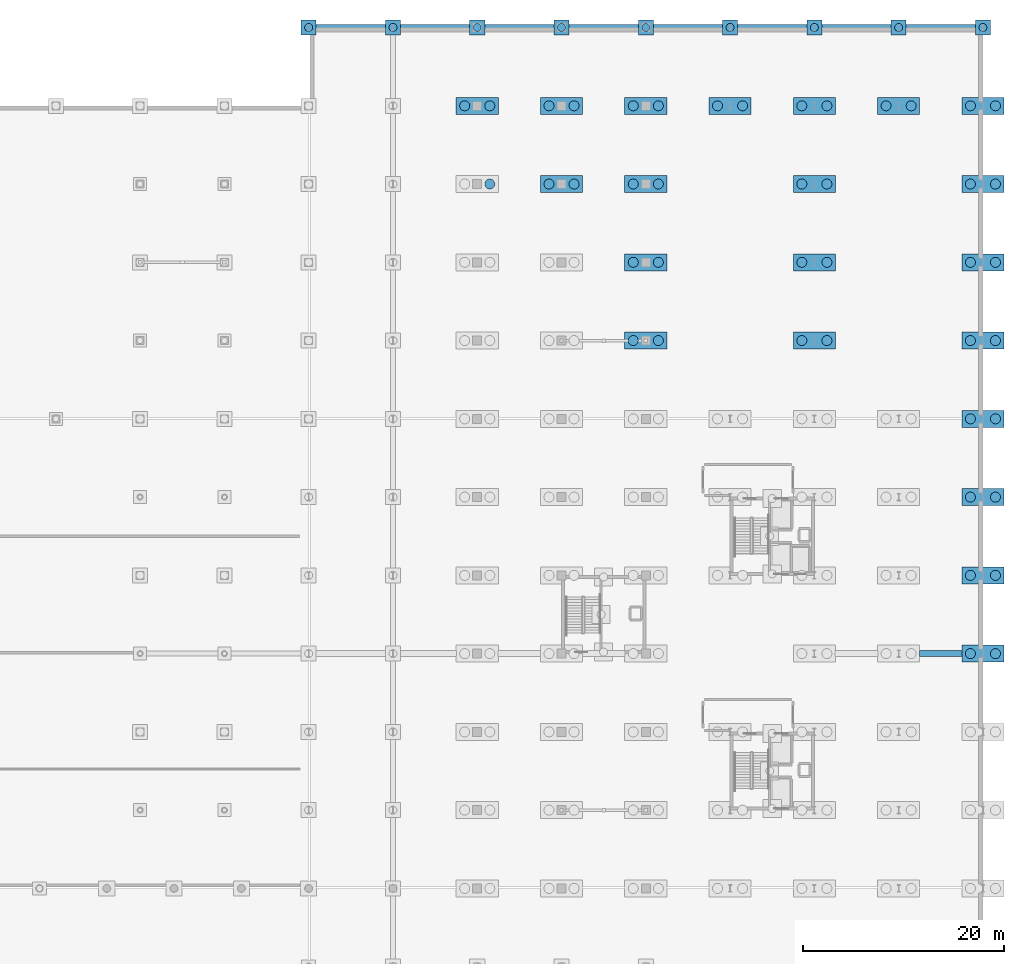
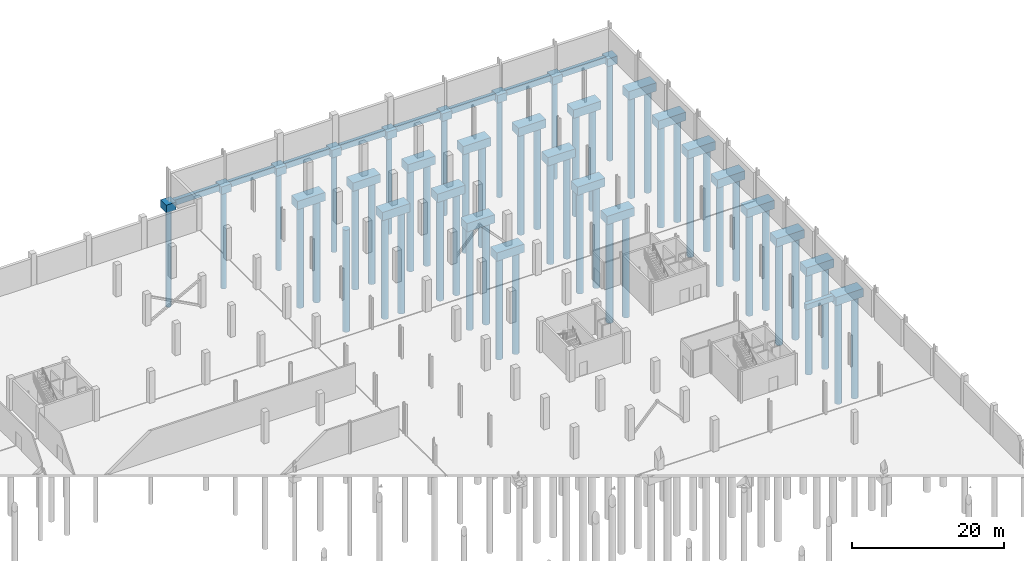
# One storey, part 9 of 48: 52 piles, 39 footings.
"""IFC4 building model written with IfcOpenShell, lengths in metres."""

from ifc_helpers import new_model, si_unit, direction, frame, origin, origin_2d, place, context, subcontext, project, spatial, polyline, rectangle, circle, outline, extrude, material, material_profile, profile_set, type_object, element, save


model = new_model("IFC4")

# Units and contexts
model_context = context("Model", 3, precision=1e-05, world=origin(), true_north=direction((0.0, 1.0)))
body_context = subcontext(model_context, "Body", "Model", "MODEL_VIEW")
ifc_project = project(units=[si_unit("LENGTHUNIT", "METRE"), si_unit("AREAUNIT", "SQUARE_METRE"), si_unit("VOLUMEUNIT", "CUBIC_METRE"), si_unit("PLANEANGLEUNIT", "RADIAN"), si_unit("MASSUNIT", "GRAM", prefix="KILO")], contexts=[model_context])

# Site, building, storey
site_placement = place(None, origin())
site = spatial("IfcSite", under=ifc_project, at=site_placement, CompositionType="ELEMENT")
building_placement = place(site_placement, origin())
building = spatial("IfcBuilding", under=site, at=building_placement, Name="Nabrawat Pavilion Hospital", CompositionType="ELEMENT")
storey_placement = place(building_placement, frame((0.0, 0.0, -5.10009765625)))
storey = spatial("IfcBuildingStorey", under=building, at=storey_placement, Name="B1", CompositionType="ELEMENT", Elevation=-5.10009765625)

# Piles
ifc_material = material(Name="Concrete C35/45", Category="concrete")
ifc_material_profile_1 = material_profile(ifc_material, circle(Radius=0.5, at=origin_2d()), Name="DIA 1000")
ifc_profile_set_1 = profile_set([ifc_material_profile_1], Name="Concrete C35/45")
pile_type_1 = type_object("IfcPileType", Name="Bored Concrete Pile D1000", PredefinedType="BORED", material=ifc_profile_set_1)
for number, where, z_axis, x_axis, name in (
    (1, (144.050048828125, 109.199951171875, -1.469970703125), (0.0, 0.0, -1.0), (1.0, 0.0, 0.0), "Bored Pile P-1000 0222"),
    (2, (141.550048828125, 117.0, -1.469970703125), (0.0, 0.0, -1.0), (1.0, 0.0, 0.0), "Bored Pile P-1000 0223"),
    (3, (144.050048828125, 117.0, -1.469970703125), (0.0, 0.0, -1.0), (1.0, 0.0, 0.0), "Bored Pile P-1000 0224"),
    (4, (149.949951171875, 109.199951171875, -1.469970703125), (0.0, 0.0, -1.0), (1.0, 0.0, 0.0), "Bored Pile P-1000 0249"),
    (5, (152.449951171875, 109.199951171875, -1.469970703125), (0.0, 0.0, -1.0), (1.0, 0.0, 0.0), "Bored Pile P-1000 0250"),
    (6, (149.949951171875, 117.0, -1.469970703125), (0.0, 0.0, -1.0), (1.0, 0.0, 0.0), "Bored Pile P-1000 0251"),
    (7, (152.449951171875, 117.0, -1.469970703125), (0.0, 0.0, -1.0), (1.0, 0.0, 0.0), "Bored Pile P-1000 0252"),
    (8, (158.35009765625, 93.60009765625, -1.469970703125), (0.0, 0.0, -1.0), (1.0, 0.0, 0.0), "Bored Pile P-1000 0273"),
    (9, (160.85009765625, 93.60009765625, -1.469970703125), (0.0, 0.0, -1.0), (1.0, 0.0, 0.0), "Bored Pile P-1000 0274"),
    (10, (158.35009765625, 101.39990234375, -1.469970703125), (0.0, 0.0, -1.0), (1.0, 0.0, 0.0), "Bored Pile P-1000 0275"),
    (11, (160.85009765625, 101.39990234375, -1.469970703125), (0.0, 0.0, -1.0), (1.0, 0.0, 0.0), "Bored Pile P-1000 0276"),
    (12, (158.35009765625, 109.199951171875, -1.469970703125), (0.0, 0.0, -1.0), (1.0, 0.0, 0.0), "Bored Pile P-1000 0277"),
    (13, (160.85009765625, 109.199951171875, -1.469970703125), (0.0, 0.0, -1.0), (1.0, 0.0, 0.0), "Bored Pile P-1000 0278"),
    (14, (158.35009765625, 117.0, -1.469970703125), (0.0, 0.0, -1.0), (1.0, 0.0, 0.0), "Bored Pile P-1000 0279"),
    (15, (160.85009765625, 117.0, -1.469970703125), (0.0, 0.0, -1.0), (1.0, 0.0, 0.0), "Bored Pile P-1000 0280"),
    (16, (166.75, 117.0, -1.469970703125), (0.0, 0.0, -1.0), (1.0, 0.0, 0.0), "Bored Pile P-1000 0297"),
    (17, (169.25, 117.0, -1.469970703125), (0.0, 0.0, -1.0), (1.0, 0.0, 0.0), "Bored Pile P-1000 0298"),
    (18, (175.14990234375, 93.60009765625, -1.469970703125), (0.0, 0.0, -1.0), (1.0, 0.0, 0.0), "Bored Pile P-1000 0319"),
    (19, (177.64990234375, 93.60009765625, -1.469970703125), (0.0, 0.0, -1.0), (1.0, 0.0, 0.0), "Bored Pile P-1000 0320"),
    (20, (175.14990234375, 101.39990234375, -1.469970703125), (0.0, 0.0, -1.0), (1.0, 0.0, 0.0), "Bored Pile P-1000 0321"),
    (21, (177.64990234375, 101.39990234375, -1.469970703125), (0.0, 0.0, -1.0), (1.0, 0.0, 0.0), "Bored Pile P-1000 0322"),
    (22, (175.14990234375, 109.199951171875, -1.469970703125), (0.0, 0.0, -1.0), (1.0, 0.0, 0.0), "Bored Pile P-1000 0323"),
    (23, (177.64990234375, 109.199951171875, -1.469970703125), (0.0, 0.0, -1.0), (1.0, 0.0, 0.0), "Bored Pile P-1000 0324"),
    (24, (175.14990234375, 117.0, -1.469970703125), (0.0, 0.0, -1.0), (1.0, 0.0, 0.0), "Bored Pile P-1000 0325"),
    (25, (177.64990234375, 117.0, -1.469970703125), (0.0, 0.0, -1.0), (1.0, 0.0, 0.0), "Bored Pile P-1000 0326"),
    (26, (183.550048828125, 117.0, -1.469970703125), (0.0, 0.0, -1.0), (1.0, 0.0, 0.0), "Bored Pile P-1000 0344"),
    (27, (186.050048828125, 117.0, -1.469970703125), (0.0, 0.0, -1.0), (1.0, 0.0, 0.0), "Bored Pile P-1000 0345"),
    (28, (191.949951171875, 62.39990234375, -1.469970703125), (0.0, 0.0, -1.0), (1.0, 0.0, 0.0), "Bored Pile P-1000 0358"),
    (29, (194.449951171875, 62.39990234375, -1.469970703125), (0.0, 0.0, -1.0), (1.0, 0.0, 0.0), "Bored Pile P-1000 0359"),
    (30, (191.949951171875, 70.199951171875, -1.469970703125), (0.0, 0.0, -1.0), (1.0, 0.0, 0.0), "Bored Pile P-1000 0360"),
    (31, (194.449951171875, 70.199951171875, -1.469970703125), (0.0, 0.0, -1.0), (1.0, 0.0, 0.0), "Bored Pile P-1000 0361"),
    (32, (191.949951171875, 78.0, -1.469970703125), (0.0, 0.0, -1.0), (1.0, 0.0, 0.0), "Bored Pile P-1000 0362"),
    (33, (194.449951171875, 78.0, -1.469970703125), (0.0, 0.0, -1.0), (1.0, 0.0, 0.0), "Bored Pile P-1000 0363"),
    (34, (191.949951171875, 85.800048828125, -1.469970703125), (0.0, 0.0, -1.0), (1.0, 0.0, 0.0), "Bored Pile P-1000 0364"),
    (35, (194.449951171875, 85.800048828125, -1.469970703125), (0.0, 0.0, -1.0), (1.0, 0.0, 0.0), "Bored Pile P-1000 0365"),
    (36, (191.949951171875, 93.60009765625, -1.469970703125), (0.0, 0.0, -1.0), (1.0, 0.0, 0.0), "Bored Pile P-1000 0366"),
    (37, (194.449951171875, 93.60009765625, -1.469970703125), (0.0, 0.0, -1.0), (1.0, 0.0, 0.0), "Bored Pile P-1000 0367"),
    (38, (191.949951171875, 101.39990234375, -1.469970703125), (0.0, 0.0, -1.0), (1.0, 0.0, 0.0), "Bored Pile P-1000 0368"),
    (39, (194.449951171875, 101.39990234375, -1.469970703125), (0.0, 0.0, -1.0), (1.0, 0.0, 0.0), "Bored Pile P-1000 0369"),
    (40, (191.949951171875, 109.199951171875, -1.469970703125), (0.0, 0.0, -1.0), (1.0, 0.0, 0.0), "Bored Pile P-1000 0370"),
    (41, (194.449951171875, 109.199951171875, -1.469970703125), (0.0, 0.0, -1.0), (1.0, 0.0, 0.0), "Bored Pile P-1000 0371"),
    (42, (191.949951171875, 117.0, -1.469970703125), (0.0, 0.0, -1.0), (1.0, 0.0, 0.0), "Bored Pile P-1000 0372"),
    (43, (194.449951171875, 117.0, -1.469970703125), (0.0, 0.0, -1.0), (1.0, 0.0, 0.0), "Bored Pile P-1000 0373"),
):
    element("IfcPile", number, at=place(storey_placement, frame(where, z_axis=z_axis, x_axis=x_axis)), inside=storey, type_object=pile_type_1, Name=name, PredefinedType="BORED", context=body_context, shape_type="SweptSolid", body=[
        extrude(circle(Radius=0.5, at=origin_2d()), origin(), (0.0, 0.0, 1.0), 16.429931640625),
    ])
ifc_material_profile_2 = material_profile(ifc_material, circle(Radius=0.39990234375, at=origin_2d()), Name="DIA 800")
ifc_profile_set_2 = profile_set([ifc_material_profile_2], Name="Concrete C35/45")
pile_type_2 = type_object("IfcPileType", Name="Bored Concrete Pile D800", PredefinedType="BORED", material=ifc_profile_set_2)
for number, where, z_axis, x_axis, name in (
    (44, (126.0, 124.800048828125, -1.369873046875), (0.0, 0.0, -1.0), (1.0, 0.0, 0.0), "Bored Pile P-800 0180"),
    (45, (134.39990234375, 124.800048828125, -1.369873046875), (0.0, 0.0, -1.0), (1.0, 0.0, 0.0), "Bored Pile P-800 0197"),
    (46, (142.800048828125, 124.800048828125, -1.369873046875), (0.0, 0.0, -1.0), (1.0, 0.0, 0.0), "Bored Pile P-800 0225"),
    (47, (151.199951171875, 124.800048828125, -1.369873046875), (0.0, 0.0, -1.0), (1.0, 0.0, 0.0), "Bored Pile P-800 0253"),
    (48, (159.60009765625, 124.800048828125, -1.369873046875), (0.0, 0.0, -1.0), (1.0, 0.0, 0.0), "Bored Pile P-800 0281"),
    (49, (168.0, 124.800048828125, -1.369873046875), (0.0, 0.0, -1.0), (1.0, 0.0, 0.0), "Bored Pile P-800 0299"),
    (50, (176.39990234375, 124.800048828125, -1.369873046875), (0.0, 0.0, -1.0), (1.0, 0.0, 0.0), "Bored Pile P-800 0327"),
    (51, (184.800048828125, 124.800048828125, -1.369873046875), (0.0, 0.0, -1.0), (1.0, 0.0, 0.0), "Bored Pile P-800 0346"),
    (52, (193.199951171875, 124.800048828125, -1.369873046875), (0.0, 0.0, -1.0), (1.0, 0.0, 0.0), "Bored Pile P-800 0374"),
):
    element("IfcPile", number, at=place(storey_placement, frame(where, z_axis=z_axis, x_axis=x_axis)), inside=storey, type_object=pile_type_2, Name=name, PredefinedType="BORED", context=body_context, shape_type="SweptSolid", body=[
        extrude(circle(Radius=0.39990234375, at=origin_2d()), origin(), (0.0, 0.0, 1.0), 15.72998046875),
    ])

# Footings
ifc_material_profile_3 = material_profile(ifc_material, rectangle(XDim=0.60009765625, YDim=0.89990234375, at=origin_2d()), Name="RC 600x900")
ifc_profile_set_3 = profile_set([ifc_material_profile_3], Name="Concrete C35/45")
footing_type_1 = type_object("IfcFootingType", Name="Concrete Ground Tie Beam 600x900", PredefinedType="FOOTING_BEAM", material=ifc_profile_set_3)
footing_1_placement = place(storey_placement, frame((186.8798828125, 62.39990234375, -0.669921875), z_axis=(1.0, 0.0, 0.0), x_axis=(0.0, 1.0, 0.0)))
element("IfcFooting", 53, at=footing_1_placement, inside=storey, type_object=footing_type_1, Name="B1 Ground Tie Beam X 034", PredefinedType="FOOTING_BEAM", context=body_context, shape_type="SweptSolid", body=[
    extrude(rectangle(XDim=0.60009765625, YDim=0.89990234375, at=origin_2d()), origin(), (0.0, 0.0, 1.0), 4.240234375),
])
footing_2_placement = place(storey_placement, frame((126.72998046875, 124.800048828125, -0.669921875), z_axis=(1.0, 0.0, 0.0), x_axis=(0.0, 1.0, 0.0)))
element("IfcFooting", 54, at=footing_2_placement, inside=storey, type_object=footing_type_1, Name="B1 Ground Tie Beam X 035", PredefinedType="FOOTING_BEAM", context=body_context, shape_type="SweptSolid", body=[
    extrude(rectangle(XDim=0.60009765625, YDim=0.89990234375, at=origin_2d()), origin(), (0.0, 0.0, 1.0), 6.93994140625),
])
footing_3_placement = place(storey_placement, frame((135.1298828125, 124.800048828125, -0.669921875), z_axis=(1.0, 0.0, 0.0), x_axis=(0.0, 1.0, 0.0)))
element("IfcFooting", 55, at=footing_3_placement, inside=storey, type_object=footing_type_1, Name="B1 Ground Tie Beam X 036", PredefinedType="FOOTING_BEAM", context=body_context, shape_type="SweptSolid", body=[
    extrude(rectangle(XDim=0.60009765625, YDim=0.89990234375, at=origin_2d()), origin(), (0.0, 0.0, 1.0), 6.940185546875),
])
footing_4_placement = place(storey_placement, frame((143.530029296875, 124.800048828125, -0.669921875), z_axis=(1.0, 0.0, 0.0), x_axis=(0.0, 1.0, 0.0)))
element("IfcFooting", 56, at=footing_4_placement, inside=storey, type_object=footing_type_1, Name="B1 Ground Tie Beam X 037", PredefinedType="FOOTING_BEAM", context=body_context, shape_type="SweptSolid", body=[
    extrude(rectangle(XDim=0.60009765625, YDim=0.89990234375, at=origin_2d()), origin(), (0.0, 0.0, 1.0), 6.93994140625),
])
footing_5_placement = place(storey_placement, frame((151.929931640625, 124.800048828125, -0.669921875), z_axis=(1.0, 0.0, 0.0), x_axis=(0.0, 1.0, 0.0)))
element("IfcFooting", 57, at=footing_5_placement, inside=storey, type_object=footing_type_1, Name="B1 Ground Tie Beam X 038", PredefinedType="FOOTING_BEAM", context=body_context, shape_type="SweptSolid", body=[
    extrude(rectangle(XDim=0.60009765625, YDim=0.89990234375, at=origin_2d()), origin(), (0.0, 0.0, 1.0), 6.940185546875),
])
for number, where, z_axis, x_axis, name in (
    (58, (160.330078125, 124.800048828125, -0.669921875), (1.0, 0.0, 0.0), (0.0, 1.0, 0.0), "B1 Ground Tie Beam X 039"),
    (59, (168.72998046875, 124.800048828125, -0.669921875), (1.0, 0.0, 0.0), (0.0, 1.0, 0.0), "B1 Ground Tie Beam X 040"),
):
    element("IfcFooting", number, at=place(storey_placement, frame(where, z_axis=z_axis, x_axis=x_axis)), inside=storey, type_object=footing_type_1, Name=name, PredefinedType="FOOTING_BEAM", context=body_context, shape_type="SweptSolid", body=[
        extrude(rectangle(XDim=0.60009765625, YDim=0.89990234375, at=origin_2d()), origin(), (0.0, 0.0, 1.0), 6.93994140625),
    ])
footing_6_placement = place(storey_placement, frame((177.1298828125, 124.800048828125, -0.669921875), z_axis=(1.0, 0.0, 0.0), x_axis=(0.0, 1.0, 0.0)))
element("IfcFooting", 60, at=footing_6_placement, inside=storey, type_object=footing_type_1, Name="B1 Ground Tie Beam X 041", PredefinedType="FOOTING_BEAM", context=body_context, shape_type="SweptSolid", body=[
    extrude(rectangle(XDim=0.60009765625, YDim=0.89990234375, at=origin_2d()), origin(), (0.0, 0.0, 1.0), 6.940185546875),
])
footing_7_placement = place(storey_placement, frame((185.530029296875, 124.800048828125, -0.669921875), z_axis=(1.0, 0.0, 0.0), x_axis=(0.0, 1.0, 0.0)))
element("IfcFooting", 61, at=footing_7_placement, inside=storey, type_object=footing_type_1, Name="B1 Ground Tie Beam X 042", PredefinedType="FOOTING_BEAM", context=body_context, shape_type="SweptSolid", body=[
    extrude(rectangle(XDim=0.60009765625, YDim=0.89990234375, at=origin_2d()), origin(), (0.0, 0.0, 1.0), 6.93994140625),
])
footing_type_2 = type_object("IfcFootingType", Name="Reinforced Concrete Pile Cap 1500x1500x1250", PredefinedType="PILE_CAP", material=ifc_material)
footing_8_placement = place(storey_placement, frame((0.0, 0.0, -1.469970703125)))
element("IfcFooting", 62, at=footing_8_placement, inside=storey, type_object=footing_type_2, Name="B1 Combined Pile Cap CAP-180", PredefinedType="PILE_CAP", context=body_context, shape_type="SweptSolid", body=[
    extrude(outline(polyline([(126.75, 124.050048828125), (126.75, 125.550048828125), (125.25, 125.550048828125), (125.25, 124.050048828125), (126.75, 124.050048828125)])), origin(), (0.0, 0.0, 1.0), 1.25),
])
footing_9_placement = place(storey_placement, frame((0.0, 0.0, -1.469970703125)))
element("IfcFooting", 63, at=footing_9_placement, inside=storey, type_object=footing_type_2, Name="B1 Combined Pile Cap CAP-197", PredefinedType="PILE_CAP", context=body_context, shape_type="SweptSolid", body=[
    extrude(outline(polyline([(135.14990234375, 124.050048828125), (135.14990234375, 125.550048828125), (133.64990234375, 125.550048828125), (133.64990234375, 124.050048828125), (135.14990234375, 124.050048828125)])), origin(), (0.0, 0.0, 1.0), 1.25),
])
footing_10_placement = place(storey_placement, frame((0.0, 0.0, -1.469970703125)))
element("IfcFooting", 64, at=footing_10_placement, inside=storey, type_object=footing_type_2, Name="B1 Combined Pile Cap CAP-214", PredefinedType="PILE_CAP", context=body_context, shape_type="SweptSolid", body=[
    extrude(outline(polyline([(143.550048828125, 124.050048828125), (143.550048828125, 125.550048828125), (142.050048828125, 125.550048828125), (142.050048828125, 124.050048828125), (143.550048828125, 124.050048828125)])), origin(), (0.0, 0.0, 1.0), 1.25),
])
footing_11_placement = place(storey_placement, frame((0.0, 0.0, -1.469970703125)))
element("IfcFooting", 65, at=footing_11_placement, inside=storey, type_object=footing_type_2, Name="B1 Combined Pile Cap CAP-231", PredefinedType="PILE_CAP", context=body_context, shape_type="SweptSolid", body=[
    extrude(outline(polyline([(151.949951171875, 124.050048828125), (151.949951171875, 125.550048828125), (150.449951171875, 125.550048828125), (150.449951171875, 124.050048828125), (151.949951171875, 124.050048828125)])), origin(), (0.0, 0.0, 1.0), 1.25),
])
footing_12_placement = place(storey_placement, frame((0.0, 0.0, -1.469970703125)))
element("IfcFooting", 66, at=footing_12_placement, inside=storey, type_object=footing_type_2, Name="B1 Combined Pile Cap CAP-248", PredefinedType="PILE_CAP", context=body_context, shape_type="SweptSolid", body=[
    extrude(outline(polyline([(160.35009765625, 124.050048828125), (160.35009765625, 125.550048828125), (158.85009765625, 125.550048828125), (158.85009765625, 124.050048828125), (160.35009765625, 124.050048828125)])), origin(), (0.0, 0.0, 1.0), 1.25),
])
footing_13_placement = place(storey_placement, frame((0.0, 0.0, -1.469970703125)))
element("IfcFooting", 67, at=footing_13_placement, inside=storey, type_object=footing_type_2, Name="B1 Combined Pile Cap CAP-259", PredefinedType="PILE_CAP", context=body_context, shape_type="SweptSolid", body=[
    extrude(outline(polyline([(168.75, 124.050048828125), (168.75, 125.550048828125), (167.25, 125.550048828125), (167.25, 124.050048828125), (168.75, 124.050048828125)])), origin(), (0.0, 0.0, 1.0), 1.25),
])
footing_14_placement = place(storey_placement, frame((0.0, 0.0, -1.469970703125)))
element("IfcFooting", 68, at=footing_14_placement, inside=storey, type_object=footing_type_2, Name="B1 Combined Pile Cap CAP-276", PredefinedType="PILE_CAP", context=body_context, shape_type="SweptSolid", body=[
    extrude(outline(polyline([(177.14990234375, 124.050048828125), (177.14990234375, 125.550048828125), (175.64990234375, 125.550048828125), (175.64990234375, 124.050048828125), (177.14990234375, 124.050048828125)])), origin(), (0.0, 0.0, 1.0), 1.25),
])
footing_15_placement = place(storey_placement, frame((0.0, 0.0, -1.469970703125)))
element("IfcFooting", 69, at=footing_15_placement, inside=storey, type_object=footing_type_2, Name="B1 Combined Pile Cap CAP-287", PredefinedType="PILE_CAP", context=body_context, shape_type="SweptSolid", body=[
    extrude(outline(polyline([(185.550048828125, 124.050048828125), (185.550048828125, 125.550048828125), (184.050048828125, 125.550048828125), (184.050048828125, 124.050048828125), (185.550048828125, 124.050048828125)])), origin(), (0.0, 0.0, 1.0), 1.25),
])
footing_16_placement = place(storey_placement, frame((0.0, 0.0, -1.469970703125)))
element("IfcFooting", 70, at=footing_16_placement, inside=storey, type_object=footing_type_2, Name="B1 Combined Pile Cap CAP-304", PredefinedType="PILE_CAP", context=body_context, shape_type="SweptSolid", body=[
    extrude(outline(polyline([(193.949951171875, 124.050048828125), (193.949951171875, 125.550048828125), (192.449951171875, 125.550048828125), (192.449951171875, 124.050048828125), (193.949951171875, 124.050048828125)])), origin(), (0.0, 0.0, 1.0), 1.25),
])
footing_type_3 = type_object("IfcFootingType", Name="Reinforced Concrete Pile Cap 1700x4200x1350", PredefinedType="PILE_CAP", material=ifc_material)
footing_17_placement = place(storey_placement, frame((0.0, 0.0, -1.56982421875)))
element("IfcFooting", 71, at=footing_17_placement, inside=storey, type_object=footing_type_3, Name="B1 Combined Pile Cap CAP-213", PredefinedType="PILE_CAP", context=body_context, shape_type="SweptSolid", body=[
    extrude(outline(polyline([(144.89990234375, 116.14990234375), (144.89990234375, 117.85009765625), (140.699951171875, 117.85009765625), (140.699951171875, 116.14990234375), (144.89990234375, 116.14990234375)])), origin(), (0.0, 0.0, 1.0), 1.349853515625),
])
footing_18_placement = place(storey_placement, frame((0.0, 0.0, -1.56982421875)))
element("IfcFooting", 72, at=footing_18_placement, inside=storey, type_object=footing_type_3, Name="B1 Combined Pile Cap CAP-229", PredefinedType="PILE_CAP", context=body_context, shape_type="SweptSolid", body=[
    extrude(outline(polyline([(153.300048828125, 108.35009765625), (153.300048828125, 110.050048828125), (149.10009765625, 110.050048828125), (149.10009765625, 108.35009765625), (153.300048828125, 108.35009765625)])), origin(), (0.0, 0.0, 1.0), 1.349853515625),
])
footing_19_placement = place(storey_placement, frame((0.0, 0.0, -1.56982421875)))
element("IfcFooting", 73, at=footing_19_placement, inside=storey, type_object=footing_type_3, Name="B1 Combined Pile Cap CAP-230", PredefinedType="PILE_CAP", context=body_context, shape_type="SweptSolid", body=[
    extrude(outline(polyline([(153.300048828125, 116.14990234375), (153.300048828125, 117.85009765625), (149.10009765625, 117.85009765625), (149.10009765625, 116.14990234375), (153.300048828125, 116.14990234375)])), origin(), (0.0, 0.0, 1.0), 1.349853515625),
])
footing_20_placement = place(storey_placement, frame((0.0, 0.0, -1.56982421875)))
element("IfcFooting", 74, at=footing_20_placement, inside=storey, type_object=footing_type_3, Name="B1 Combined Pile Cap CAP-244", PredefinedType="PILE_CAP", context=body_context, shape_type="SweptSolid", body=[
    extrude(outline(polyline([(161.699951171875, 92.75), (161.699951171875, 94.449951171875), (157.5, 94.449951171875), (157.5, 92.75), (161.699951171875, 92.75)])), origin(), (0.0, 0.0, 1.0), 1.349853515625),
])
footing_21_placement = place(storey_placement, frame((0.0, 0.0, -1.56982421875)))
element("IfcFooting", 75, at=footing_21_placement, inside=storey, type_object=footing_type_3, Name="B1 Combined Pile Cap CAP-245", PredefinedType="PILE_CAP", context=body_context, shape_type="SweptSolid", body=[
    extrude(outline(polyline([(161.699951171875, 100.550048828125), (161.699951171875, 102.25), (157.5, 102.25), (157.5, 100.550048828125), (161.699951171875, 100.550048828125)])), origin(), (0.0, 0.0, 1.0), 1.349853515625),
])
footing_22_placement = place(storey_placement, frame((0.0, 0.0, -1.56982421875)))
element("IfcFooting", 76, at=footing_22_placement, inside=storey, type_object=footing_type_3, Name="B1 Combined Pile Cap CAP-246", PredefinedType="PILE_CAP", context=body_context, shape_type="SweptSolid", body=[
    extrude(outline(polyline([(161.699951171875, 108.35009765625), (161.699951171875, 110.050048828125), (157.5, 110.050048828125), (157.5, 108.35009765625), (161.699951171875, 108.35009765625)])), origin(), (0.0, 0.0, 1.0), 1.349853515625),
])
footing_23_placement = place(storey_placement, frame((0.0, 0.0, -1.56982421875)))
element("IfcFooting", 77, at=footing_23_placement, inside=storey, type_object=footing_type_3, Name="B1 Combined Pile Cap CAP-247", PredefinedType="PILE_CAP", context=body_context, shape_type="SweptSolid", body=[
    extrude(outline(polyline([(161.699951171875, 116.14990234375), (161.699951171875, 117.85009765625), (157.5, 117.85009765625), (157.5, 116.14990234375), (161.699951171875, 116.14990234375)])), origin(), (0.0, 0.0, 1.0), 1.349853515625),
])
footing_24_placement = place(storey_placement, frame((0.0, 0.0, -1.56982421875)))
element("IfcFooting", 78, at=footing_24_placement, inside=storey, type_object=footing_type_3, Name="B1 Combined Pile Cap CAP-258", PredefinedType="PILE_CAP", context=body_context, shape_type="SweptSolid", body=[
    extrude(outline(polyline([(170.10009765625, 116.14990234375), (170.10009765625, 117.85009765625), (165.89990234375, 117.85009765625), (165.89990234375, 116.14990234375), (170.10009765625, 116.14990234375)])), origin(), (0.0, 0.0, 1.0), 1.349853515625),
])
footing_25_placement = place(storey_placement, frame((0.0, 0.0, -1.56982421875)))
element("IfcFooting", 79, at=footing_25_placement, inside=storey, type_object=footing_type_3, Name="B1 Combined Pile Cap CAP-272", PredefinedType="PILE_CAP", context=body_context, shape_type="SweptSolid", body=[
    extrude(outline(polyline([(178.5, 92.75), (178.5, 94.449951171875), (174.300048828125, 94.449951171875), (174.300048828125, 92.75), (178.5, 92.75)])), origin(), (0.0, 0.0, 1.0), 1.349853515625),
])
footing_26_placement = place(storey_placement, frame((0.0, 0.0, -1.56982421875)))
element("IfcFooting", 80, at=footing_26_placement, inside=storey, type_object=footing_type_3, Name="B1 Combined Pile Cap CAP-273", PredefinedType="PILE_CAP", context=body_context, shape_type="SweptSolid", body=[
    extrude(outline(polyline([(178.5, 100.550048828125), (178.5, 102.25), (174.300048828125, 102.25), (174.300048828125, 100.550048828125), (178.5, 100.550048828125)])), origin(), (0.0, 0.0, 1.0), 1.349853515625),
])
footing_27_placement = place(storey_placement, frame((0.0, 0.0, -1.56982421875)))
element("IfcFooting", 81, at=footing_27_placement, inside=storey, type_object=footing_type_3, Name="B1 Combined Pile Cap CAP-274", PredefinedType="PILE_CAP", context=body_context, shape_type="SweptSolid", body=[
    extrude(outline(polyline([(178.5, 108.35009765625), (178.5, 110.050048828125), (174.300048828125, 110.050048828125), (174.300048828125, 108.35009765625), (178.5, 108.35009765625)])), origin(), (0.0, 0.0, 1.0), 1.349853515625),
])
footing_28_placement = place(storey_placement, frame((0.0, 0.0, -1.56982421875)))
element("IfcFooting", 82, at=footing_28_placement, inside=storey, type_object=footing_type_3, Name="B1 Combined Pile Cap CAP-275", PredefinedType="PILE_CAP", context=body_context, shape_type="SweptSolid", body=[
    extrude(outline(polyline([(178.5, 116.14990234375), (178.5, 117.85009765625), (174.300048828125, 117.85009765625), (174.300048828125, 116.14990234375), (178.5, 116.14990234375)])), origin(), (0.0, 0.0, 1.0), 1.349853515625),
])
footing_29_placement = place(storey_placement, frame((0.0, 0.0, -1.56982421875)))
element("IfcFooting", 83, at=footing_29_placement, inside=storey, type_object=footing_type_3, Name="B1 Combined Pile Cap CAP-286", PredefinedType="PILE_CAP", context=body_context, shape_type="SweptSolid", body=[
    extrude(outline(polyline([(186.89990234375, 116.14990234375), (186.89990234375, 117.85009765625), (182.699951171875, 117.85009765625), (182.699951171875, 116.14990234375), (186.89990234375, 116.14990234375)])), origin(), (0.0, 0.0, 1.0), 1.349853515625),
])
footing_30_placement = place(storey_placement, frame((0.0, 0.0, -1.56982421875)))
element("IfcFooting", 84, at=footing_30_placement, inside=storey, type_object=footing_type_3, Name="B1 Combined Pile Cap CAP-296", PredefinedType="PILE_CAP", context=body_context, shape_type="SweptSolid", body=[
    extrude(outline(polyline([(195.300048828125, 61.550048828125), (195.300048828125, 63.25), (191.10009765625, 63.25), (191.10009765625, 61.550048828125), (195.300048828125, 61.550048828125)])), origin(), (0.0, 0.0, 1.0), 1.349853515625),
])
footing_31_placement = place(storey_placement, frame((0.0, 0.0, -1.56982421875)))
element("IfcFooting", 85, at=footing_31_placement, inside=storey, type_object=footing_type_3, Name="B1 Combined Pile Cap CAP-297", PredefinedType="PILE_CAP", context=body_context, shape_type="SweptSolid", body=[
    extrude(outline(polyline([(195.300048828125, 69.35009765625), (195.300048828125, 71.050048828125), (191.10009765625, 71.050048828125), (191.10009765625, 69.35009765625), (195.300048828125, 69.35009765625)])), origin(), (0.0, 0.0, 1.0), 1.349853515625),
])
footing_32_placement = place(storey_placement, frame((0.0, 0.0, -1.56982421875)))
element("IfcFooting", 86, at=footing_32_placement, inside=storey, type_object=footing_type_3, Name="B1 Combined Pile Cap CAP-298", PredefinedType="PILE_CAP", context=body_context, shape_type="SweptSolid", body=[
    extrude(outline(polyline([(195.300048828125, 77.14990234375), (195.300048828125, 78.85009765625), (191.10009765625, 78.85009765625), (191.10009765625, 77.14990234375), (195.300048828125, 77.14990234375)])), origin(), (0.0, 0.0, 1.0), 1.349853515625),
])
footing_33_placement = place(storey_placement, frame((0.0, 0.0, -1.56982421875)))
element("IfcFooting", 87, at=footing_33_placement, inside=storey, type_object=footing_type_3, Name="B1 Combined Pile Cap CAP-299", PredefinedType="PILE_CAP", context=body_context, shape_type="SweptSolid", body=[
    extrude(outline(polyline([(195.300048828125, 84.949951171875), (195.300048828125, 86.64990234375), (191.10009765625, 86.64990234375), (191.10009765625, 84.949951171875), (195.300048828125, 84.949951171875)])), origin(), (0.0, 0.0, 1.0), 1.349853515625),
])
footing_34_placement = place(storey_placement, frame((0.0, 0.0, -1.56982421875)))
element("IfcFooting", 88, at=footing_34_placement, inside=storey, type_object=footing_type_3, Name="B1 Combined Pile Cap CAP-300", PredefinedType="PILE_CAP", context=body_context, shape_type="SweptSolid", body=[
    extrude(outline(polyline([(195.300048828125, 92.75), (195.300048828125, 94.449951171875), (191.10009765625, 94.449951171875), (191.10009765625, 92.75), (195.300048828125, 92.75)])), origin(), (0.0, 0.0, 1.0), 1.349853515625),
])
footing_35_placement = place(storey_placement, frame((0.0, 0.0, -1.56982421875)))
element("IfcFooting", 89, at=footing_35_placement, inside=storey, type_object=footing_type_3, Name="B1 Combined Pile Cap CAP-301", PredefinedType="PILE_CAP", context=body_context, shape_type="SweptSolid", body=[
    extrude(outline(polyline([(195.300048828125, 100.550048828125), (195.300048828125, 102.25), (191.10009765625, 102.25), (191.10009765625, 100.550048828125), (195.300048828125, 100.550048828125)])), origin(), (0.0, 0.0, 1.0), 1.349853515625),
])
footing_36_placement = place(storey_placement, frame((0.0, 0.0, -1.56982421875)))
element("IfcFooting", 90, at=footing_36_placement, inside=storey, type_object=footing_type_3, Name="B1 Combined Pile Cap CAP-302", PredefinedType="PILE_CAP", context=body_context, shape_type="SweptSolid", body=[
    extrude(outline(polyline([(195.300048828125, 108.35009765625), (195.300048828125, 110.050048828125), (191.10009765625, 110.050048828125), (191.10009765625, 108.35009765625), (195.300048828125, 108.35009765625)])), origin(), (0.0, 0.0, 1.0), 1.349853515625),
])
footing_37_placement = place(storey_placement, frame((0.0, 0.0, -1.56982421875)))
element("IfcFooting", 91, at=footing_37_placement, inside=storey, type_object=footing_type_3, Name="B1 Combined Pile Cap CAP-303", PredefinedType="PILE_CAP", context=body_context, shape_type="SweptSolid", body=[
    extrude(outline(polyline([(195.300048828125, 116.14990234375), (195.300048828125, 117.85009765625), (191.10009765625, 117.85009765625), (191.10009765625, 116.14990234375), (195.300048828125, 116.14990234375)])), origin(), (0.0, 0.0, 1.0), 1.349853515625),
])

save(model, "model.ifc")
